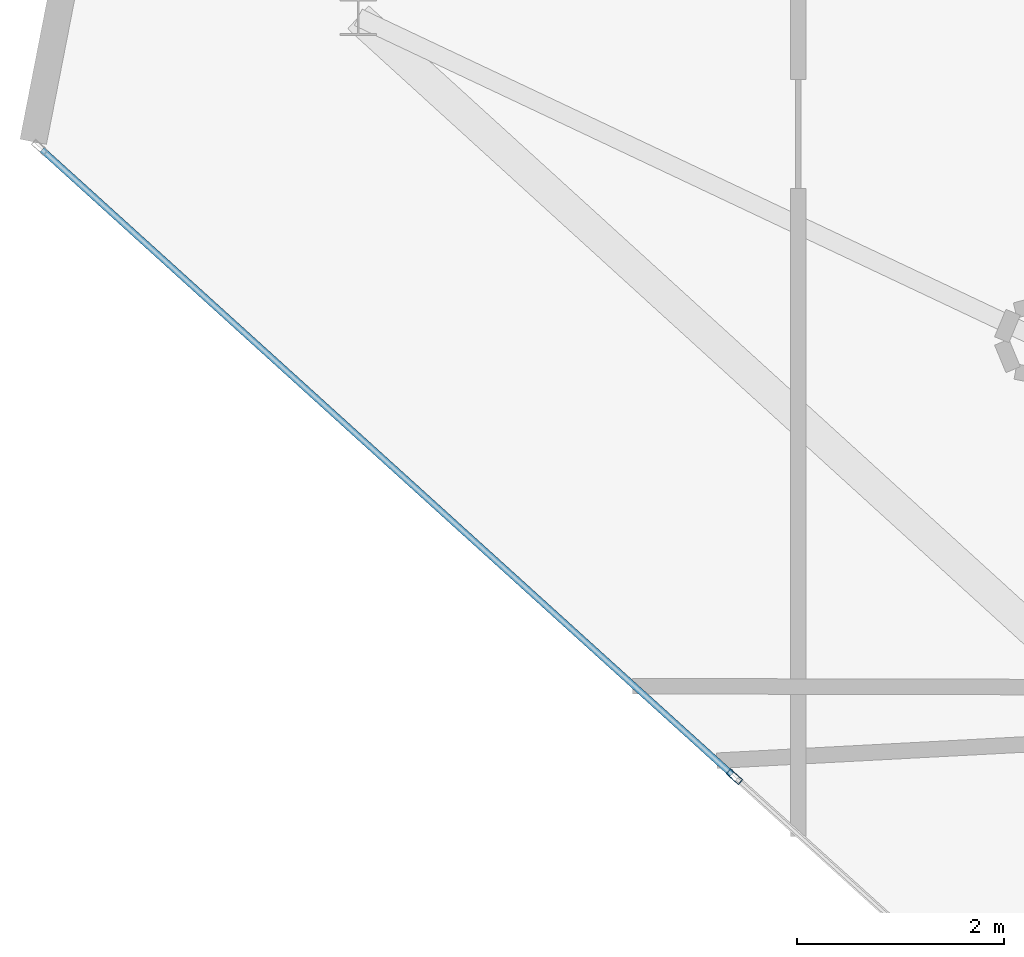
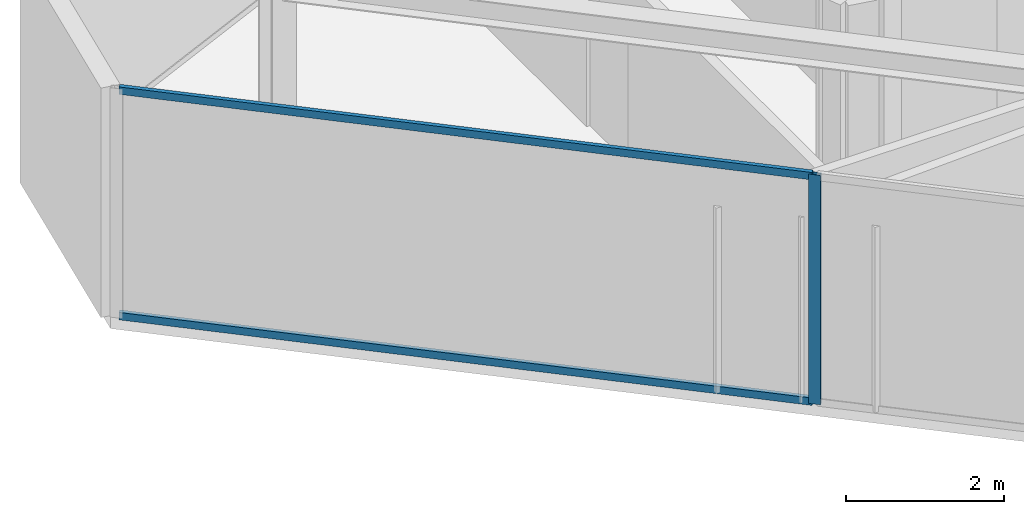
# One storey, part 3 of 15: 3 members, 1 element without a shape of its own.
"""IFC4 building model written with IfcOpenShell, lengths in metres."""

from ifc_helpers import new_model, si_unit, direction, frame, origin, origin_2d, place, context, subcontext, project, spatial, hollow_rectangle, extrude, material, layer, layer_set, material_profile, profile_set, type_object, element, aggregate, save


model = new_model("IFC4")

# Units and contexts
model_context = context("Model", 3, precision=1e-05, world=origin(), true_north=direction((0.0, 1.0)))
body_context = subcontext(model_context, "Body", "Model", "MODEL_VIEW")
ifc_project = project(units=[si_unit("LENGTHUNIT", "METRE"), si_unit("AREAUNIT", "SQUARE_METRE"), si_unit("VOLUMEUNIT", "CUBIC_METRE"), si_unit("PLANEANGLEUNIT", "RADIAN"), si_unit("MASSUNIT", "GRAM", prefix="KILO")], contexts=[model_context])

# Site, building, storey
site_placement = place(None, origin())
site = spatial("IfcSite", under=ifc_project, at=site_placement, CompositionType="ELEMENT")
building_placement = place(site_placement, origin())
building = spatial("IfcBuilding", under=site, at=building_placement, Name="Qianvela Tower", CompositionType="ELEMENT")
storey_placement = place(building_placement, frame((0.0, 0.0, 360.050048828125)))
storey = spatial("IfcBuildingStorey", under=building, at=storey_placement, Name="L93", CompositionType="ELEMENT", Elevation=360.050048828125)

# Curtain wall, members
ifc_material_1 = material(Name="Anodised Architectural Aluminium and Low-E Glass", Category="aluminium")
ifc_layer = layer(ifc_material_1, 0.159912109375)
ifc_layer_set = layer_set([ifc_layer], Name="Anodised Architectural Aluminium and Low-E Glass")
curtain_wall_type = type_object("IfcCurtainWallType", Name="CW-CROWN", PredefinedType="USERDEFINED", material=ifc_layer_set)
curtain_wall_placement = place(storey_placement, origin())
curtain_wall = element("IfcCurtainWall", 1, at=curtain_wall_placement, inside=storey, type_object=curtain_wall_type, Name="L93 CW-CROWN Curtain Wall 04", ObjectType="CURTAIN_WALL_SYSTEM", PredefinedType="USERDEFINED")
ifc_material_2 = material(Name="Anodised Architectural Aluminium 6063-T6", Category="aluminium")
ifc_material_profile_1 = material_profile(ifc_material_2, hollow_rectangle(XDim=0.06494140625, YDim=0.159912109375, WallThickness=0.0048828125, at=origin_2d()), Name="ALU-MULL-65x160")
ifc_profile_set_1 = profile_set([ifc_material_profile_1], Name="Anodised Architectural Aluminium 6063-T6")
member_type_1 = type_object("IfcMemberType", Name="CW-CROWN-MULL", PredefinedType="MULLION", material=ifc_profile_set_1)
member_1_placement = place(storey_placement, frame((25.6142578125, 19.641845703125, 0.0), z_axis=(0.0, 0.0, 1.0), x_axis=(0.671200977074, 0.741275420053, 0.0)))
member_1 = element("IfcMember", 2, at=member_1_placement, type_object=member_type_1, Name="CW-8 mullion 2", PredefinedType="MULLION", context=body_context, shape_type="SweptSolid", body=[
    extrude(hollow_rectangle(XDim=0.06494140625, YDim=0.159912109375, WallThickness=0.0048828125, at=origin_2d()), origin(), (0.0, 0.0, 1.0), 3.550048828125),
])
ifc_material_3 = material(Name="Anodised Architectural Aluminium 6063-T6", Category="aluminium")
ifc_material_profile_2 = material_profile(ifc_material_3, hollow_rectangle(XDim=0.06005859375, YDim=0.114990234375, WallThickness=0.00390625, at=origin_2d()), Name="ALU-TRAN-60x115")
ifc_profile_set_2 = profile_set([ifc_material_profile_2], Name="Anodised Architectural Aluminium 6063-T6")
member_type_2 = type_object("IfcMemberType", Name="CW-CROWN-TRAN", PredefinedType="USERDEFINED", material=ifc_profile_set_2)
member_2_placement = place(storey_placement, frame((18.927001953125, 25.69677734375, 0.030029296875), z_axis=(0.74128927822, -0.671185671775, 0.0), x_axis=(0.671185671775, 0.74128927822, 0.0)))
member_2 = element("IfcMember", 3, at=member_2_placement, type_object=member_type_2, Name="CW-8 transom 1.1", ObjectType="TRANSOM", PredefinedType="USERDEFINED", context=body_context, shape_type="SweptSolid", body=[
    extrude(hollow_rectangle(XDim=0.06005859375, YDim=0.114990234375, WallThickness=0.00390625, at=origin_2d()), origin(), (0.0, 0.0, 1.0), 8.988525390625),
])
member_3_placement = place(storey_placement, frame((18.927001953125, 25.69677734375, 3.52001953125), z_axis=(0.74128927822, -0.671185671775, 0.0), x_axis=(0.671185671775, 0.74128927822, 0.0)))
member_3 = element("IfcMember", 4, at=member_3_placement, type_object=member_type_2, Name="CW-8 transom 1.2", ObjectType="TRANSOM", PredefinedType="USERDEFINED", context=body_context, shape_type="SweptSolid", body=[
    extrude(hollow_rectangle(XDim=0.06005859375, YDim=0.114990234375, WallThickness=0.00390625, at=origin_2d()), origin(), (0.0, 0.0, 1.0), 8.988525390625),
])
aggregate(curtain_wall, [member_1, member_2, member_3])

save(model, "model.ifc")
